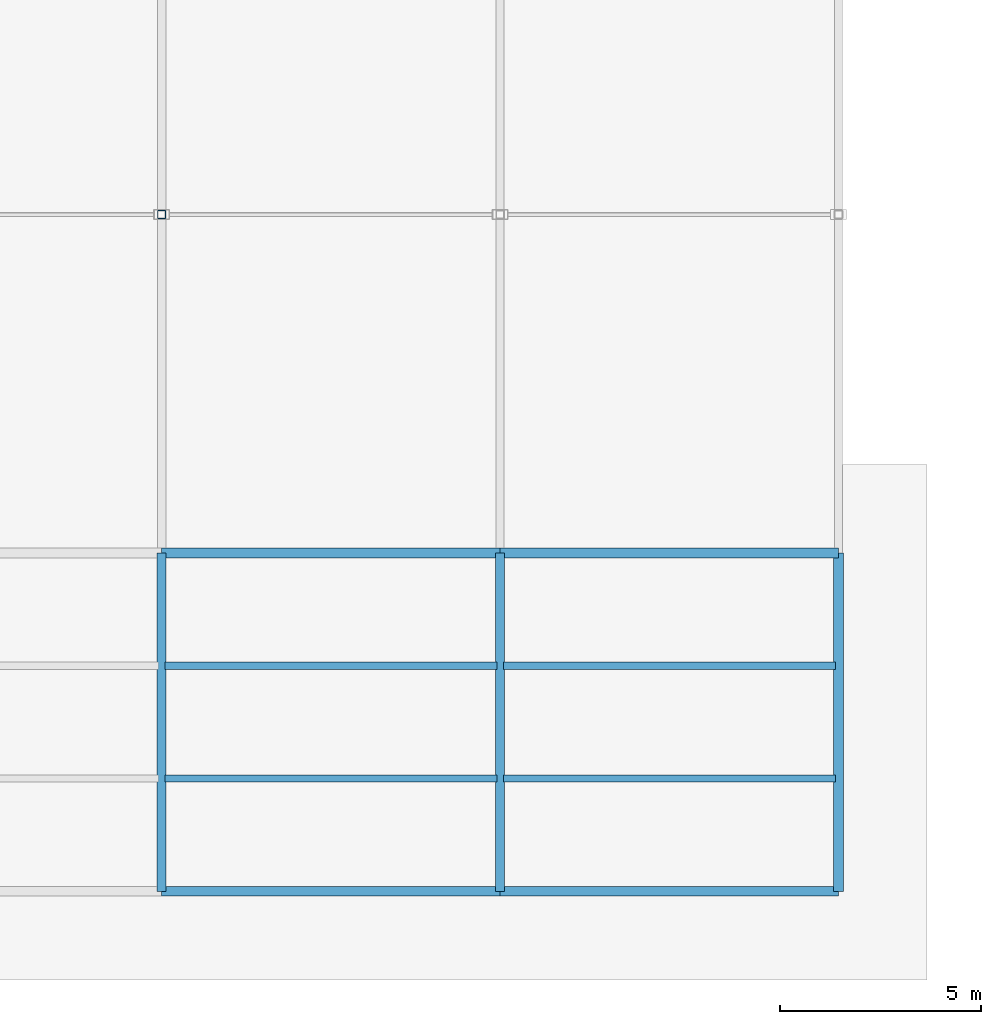
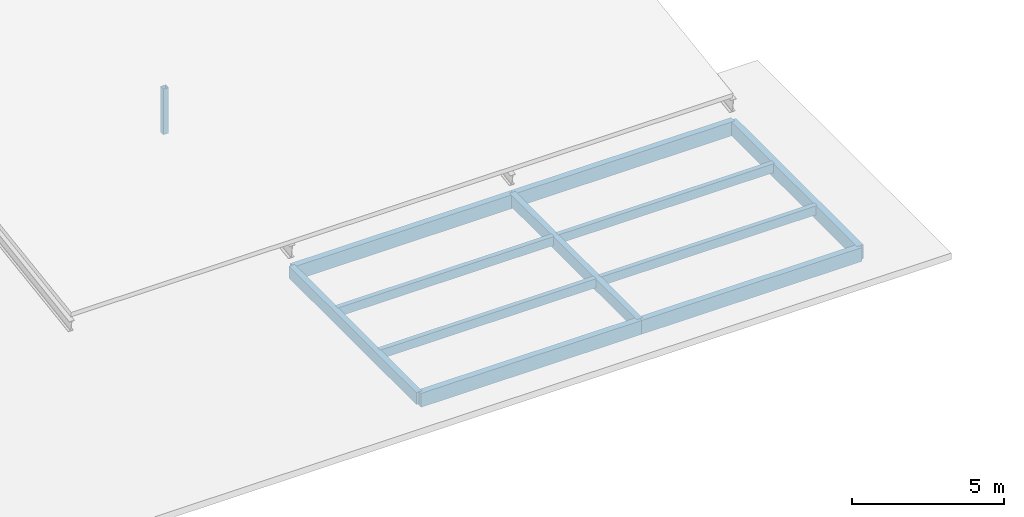
# One storey, part 3 of 31: 11 beams, 1 member.
"""IFC4 building model written with IfcOpenShell, lengths in metres."""

import ifcopenshell
import ifcopenshell.guid

model = None  # the IFC model being written
_history = None  # IfcOwnerHistory: only IFC2X3 demands one
_inside = {}  # id of a spatial element -> (the spatial element, [elements in it])
_under = {}  # id of a project, library or spatial element -> (it, [spatial elements below it])
_declared = {}  # id of a project -> (the project, [libraries it declares])
_typed = {}  # id of a type object -> (the type object, [elements of that type])
_made_of = {}  # id of a material, layer set ... -> (it, [elements and type objects made of it])


def new_model(schema):
    """Start an empty IFC model of exactly this schema.

    Asked for "IFC4X3", IfcOpenShell would pick the latest addendum, in which some entities
    have other attributes; the version numbers below select the first issue.
    IFC2X3 requires an IfcOwnerHistory on every rooted entity: one is made here for all.
    """
    global model, _history
    if schema == "IFC4X3":
        model = ifcopenshell.file(schema_version=(4, 3, 0, 0))
    else:
        model = ifcopenshell.file(schema=schema)
    _inside.clear()
    _under.clear()
    _declared.clear()
    _typed.clear()
    _made_of.clear()
    _history = None
    if model.schema == "IFC2X3":
        org = make("IfcOrganization", Name="unknown")
        user = make(
            "IfcPersonAndOrganization",
            ThePerson=make("IfcPerson", FamilyName="unknown"),
            TheOrganization=org,
        )
        app = make(
            "IfcApplication",
            ApplicationDeveloper=org,
            Version="unknown",
            ApplicationFullName="unknown",
            ApplicationIdentifier="unknown",
        )
        _history = make(
            "IfcOwnerHistory",
            OwningUser=user,
            OwningApplication=app,
            ChangeAction="ADDED",
            CreationDate=0,
        )
    return model


def make(cls, **values):
    """One entity of the class cls with the attributes given. An attribute that is None is left unset."""
    return model.create_entity(
        cls, **{name: value for name, value in values.items() if value is not None}
    )


def rooted(cls, **values):
    """An entity with a GlobalId (a new one), such as an element, a storey or a relation."""
    return make(cls, GlobalId=ifcopenshell.guid.new(), OwnerHistory=_history, **values)


def si_unit(unit_type, name, prefix=None):
    """IfcSIUnit, for example si_unit("LENGTHUNIT", "METRE", prefix="MILLI")."""
    return make("IfcSIUnit", UnitType=unit_type, Prefix=prefix, Name=name)


def assignment(units):
    """IfcUnitAssignment: the units of a project."""
    return None if units is None else make("IfcUnitAssignment", Units=units)


def point(xyz):
    """IfcCartesianPoint."""
    return None if xyz is None else make("IfcCartesianPoint", Coordinates=xyz)


def direction(xyz):
    """IfcDirection."""
    return None if xyz is None else make("IfcDirection", DirectionRatios=xyz)


def frame(location, z_axis=None, x_axis=None):
    """IfcAxis2Placement3D, a coordinate frame: its origin and axes. An axis left out is left unset."""
    return make(
        "IfcAxis2Placement3D",
        Location=point(location),
        Axis=direction(z_axis),
        RefDirection=direction(x_axis),
    )


def frame_2d(location, x_axis=None):
    """IfcAxis2Placement2D, a coordinate frame in the plane: its origin and x axis."""
    return make(
        "IfcAxis2Placement2D", Location=point(location), RefDirection=direction(x_axis)
    )


def origin():
    """The frame at (0, 0, 0) with its axes left unset."""
    return frame((0.0, 0.0, 0.0))


def origin_2d():
    """The frame at (0, 0) in the plane with its x axis left unset."""
    return frame_2d((0.0, 0.0))


def place(relative_to, where):
    """IfcLocalPlacement: puts the frame where relative to a parent placement (None: the world)."""
    return make(
        "IfcLocalPlacement", PlacementRelTo=relative_to, RelativePlacement=where
    )


def context(
    kind, dimensions, precision=None, world=None, true_north=None, identifier=None
):
    """IfcGeometricRepresentationContext, for example the 3D "Model" context."""
    return make(
        "IfcGeometricRepresentationContext",
        ContextIdentifier=identifier,
        ContextType=kind,
        CoordinateSpaceDimension=dimensions,
        Precision=precision,
        WorldCoordinateSystem=world,
        TrueNorth=true_north,
    )


def subcontext(parent, identifier, kind, view, scale=None):
    """IfcGeometricRepresentationSubContext, for example "Body" below "Model"."""
    return make(
        "IfcGeometricRepresentationSubContext",
        ContextIdentifier=identifier,
        ContextType=kind,
        ParentContext=parent,
        TargetScale=scale,
        TargetView=view,
    )


def project(units=None, contexts=None):
    """IfcProject with its units and contexts."""
    return rooted(
        "IfcProject",
        Name="project",
        RepresentationContexts=contexts,
        UnitsInContext=assignment(units),
    )


def spatial(cls, under=None, at=None, **own):
    """A site, building, storey or space (cls), placed at a placement, below another one or the project."""
    s = rooted(cls, ObjectPlacement=at, **own)
    if under is not None:
        _under.setdefault(under.id(), (under, []))[1].append(s)
    return s


def profile(cls, at=None, kind="AREA", **sizes):
    """A parametric profile (cls). Its sizes go by their IFC names, for example OverallWidth=200.0."""
    return make(cls, ProfileType=kind, Position=at, **sizes)


def rectangle(**sizes):
    """IfcRectangleProfileDef."""
    return profile("IfcRectangleProfileDef", **sizes)


def hollow_rectangle(**sizes):
    """IfcRectangleHollowProfileDef."""
    return profile("IfcRectangleHollowProfileDef", **sizes)


def extrude(swept, where, along, depth):
    """IfcExtrudedAreaSolid: the profile swept, set in the frame where, extruded along a direction by depth."""
    return make(
        "IfcExtrudedAreaSolid",
        SweptArea=swept,
        Position=where,
        ExtrudedDirection=direction(along),
        Depth=depth,
    )


def shape(context_of_items, identifier, shape_type, items):
    """IfcShapeRepresentation: the items that make up one representation, for example the "Body"."""
    return make(
        "IfcShapeRepresentation",
        ContextOfItems=context_of_items,
        RepresentationIdentifier=identifier,
        RepresentationType=shape_type,
        Items=items,
    )


def material(Name=None, Category=None):
    """IfcMaterial."""
    return make("IfcMaterial", Name=Name, Category=Category)


def material_profile(
    of_material, cross_section, Name=None, Category=None, Priority=None
):
    """IfcMaterialProfile: a cross section and its material."""
    return make(
        "IfcMaterialProfile",
        Name=Name,
        Material=of_material,
        Profile=cross_section,
        Priority=Priority,
        Category=Category,
    )


def profile_set(profiles, Name=None, composite=None):
    """IfcMaterialProfileSet."""
    return make(
        "IfcMaterialProfileSet",
        Name=Name,
        MaterialProfiles=profiles,
        CompositeProfile=composite,
    )


def made_of(thing, what):
    """Note that an element or type object is made of a material, layer set ...; save() writes the relation."""
    if what is not None:
        _made_of.setdefault(what.id(), (what, []))[1].append(thing)
    return thing


def type_object(cls, material=None, **own):
    """A type object (cls), such as IfcWallType, which elements share."""
    return made_of(rooted(cls, **own), material)


def element(
    cls,
    number,
    at=None,
    inside=None,
    cuts=None,
    type_object=None,
    material=None,
    context=None,
    identifier="Body",
    shape_type=None,
    held_by="IfcProductDefinitionShape",
    body=None,
    shapes=None,
    **own,
):
    """One element of the class cls, such as IfcWall. Its Tag is "e" and its number.

    at: its placement. inside: the storey or other place that contains it. cuts: it is an
    opening in that element (IfcRelVoidsElement). A single representation is given by context,
    identifier, shape_type and body (its items); several are given by shapes. held_by: the class
    of the entity that holds the representations. save() writes the other relations.
    """
    e = rooted(cls, Tag="e%d" % number, ObjectPlacement=at, **own)
    if body is not None:
        shapes = [shape(context, identifier, shape_type, body)]
    if shapes is not None:
        e.Representation = make(held_by, Representations=shapes)
    if inside is not None:
        _inside.setdefault(inside.id(), (inside, []))[1].append(e)
    if cuts is not None:
        rooted(
            "IfcRelVoidsElement", RelatingBuildingElement=cuts, RelatedOpeningElement=e
        )
    if type_object is not None:
        _typed.setdefault(type_object.id(), (type_object, []))[1].append(e)
    return made_of(e, material)


def aggregate(whole, parts):
    """IfcRelAggregates: a whole, such as a stair, and the parts it consists of."""
    return rooted("IfcRelAggregates", RelatingObject=whole, RelatedObjects=parts)


def save(model, path):
    """Write the relations noted so far, then the file.

    IfcRelAggregates (storeys below a building ...), IfcRelContainedInSpatialStructure (elements
    in a storey), IfcRelDefinesByType, IfcRelAssociatesMaterial and IfcRelDeclares: one each for
    every whole, place, type object, material and project.
    """
    for whole, parts in _under.values():
        aggregate(whole, parts)
    for where, things in _inside.values():
        rooted(
            "IfcRelContainedInSpatialStructure",
            RelatedElements=things,
            RelatingStructure=where,
        )
    for kind, things in _typed.values():
        rooted("IfcRelDefinesByType", RelatedObjects=things, RelatingType=kind)
    for what, things in _made_of.values():
        rooted("IfcRelAssociatesMaterial", RelatedObjects=things, RelatingMaterial=what)
    for by, libraries in _declared.values():
        rooted("IfcRelDeclares", RelatingContext=by, RelatedDefinitions=libraries)
    model.write(path)


model = new_model("IFC4")

# Units and contexts
model_context = context("Model", 3, precision=1e-05, world=origin(), true_north=direction((0.0, 1.0)))
body_context = subcontext(model_context, "Body", "Model", "MODEL_VIEW")
ifc_project = project(units=[si_unit("LENGTHUNIT", "METRE"), si_unit("AREAUNIT", "SQUARE_METRE"), si_unit("VOLUMEUNIT", "CUBIC_METRE"), si_unit("PLANEANGLEUNIT", "RADIAN"), si_unit("MASSUNIT", "GRAM", prefix="KILO")], contexts=[model_context])

# Site, building, storey
site_placement = place(None, origin())
site = spatial("IfcSite", under=ifc_project, at=site_placement, CompositionType="ELEMENT")
building_placement = place(site_placement, origin())
building = spatial("IfcBuilding", under=site, at=building_placement, Name="Varnapada Polytechnic", CompositionType="ELEMENT")
storey_placement = place(building_placement, frame((0.0, 0.0, 22.199951171875)))
storey = spatial("IfcBuildingStorey", under=building, at=storey_placement, Name="L05", CompositionType="ELEMENT", Elevation=22.199951171875)

# Beams
ifc_material_1 = material(Name="Glulam GL32h", Category="wood")
ifc_material_profile_1 = material_profile(ifc_material_1, rectangle(XDim=0.239990234375, YDim=0.56005859375, at=origin_2d()), Name="GL 240x560")
ifc_profile_set_1 = profile_set([ifc_material_profile_1], Name="Glulam GL32h")
beam_type_1 = type_object("IfcBeamType", Name="Perimeter glulam spandrel beam SP-02 (GL 240x560)", PredefinedType="SPANDREL", material=ifc_profile_set_1)
for number, where, z_axis, x_axis, name in (
    (1, (33.60009765625, 8.39990234375, -0.550048828125), (1.0, 0.0, 0.0), (0.0, 1.0, 0.0), "L05 beam X 5-6 at Y2"),
    (2, (33.60009765625, 16.800048828125, -0.550048828125), (1.0, 0.0, 0.0), (0.0, 1.0, 0.0), "L05 beam X 5-6 at Y3"),
    (3, (42.0, 8.39990234375, -0.550048828125), (1.0, 0.0, 0.0), (0.0, 1.0, 0.0), "L05 beam X 6-7 at Y2"),
    (4, (42.0, 16.800048828125, -0.550048828125), (1.0, 0.0, 0.0), (0.0, 1.0, 0.0), "L05 beam X 6-7 at Y3"),
):
    element("IfcBeam", number, at=place(storey_placement, frame(where, z_axis=z_axis, x_axis=x_axis)), inside=storey, type_object=beam_type_1, Name=name, PredefinedType="SPANDREL", context=body_context, shape_type="SweptSolid", body=[
        extrude(rectangle(XDim=0.239990234375, YDim=0.56005859375, at=origin_2d()), origin(), (0.0, 0.0, 1.0), 8.39990234375),
    ])
beam_placement = place(storey_placement, frame((50.39990234375, 8.39990234375, -0.550048828125), z_axis=(0.0, 1.0, 0.0), x_axis=(-1.0, 0.0, 0.0)))
element("IfcBeam", 5, at=beam_placement, inside=storey, type_object=beam_type_1, Name="L05 beam Y 2-3 at X7", PredefinedType="SPANDREL", context=body_context, shape_type="SweptSolid", body=[
    extrude(rectangle(XDim=0.239990234375, YDim=0.56005859375, at=origin_2d()), origin(), (0.0, 0.0, 1.0), 8.400146484375),
])

# Member
ifc_material_2 = material(Name="Steel S355", Category="steel")
ifc_material_profile_2 = material_profile(ifc_material_2, hollow_rectangle(XDim=0.199951171875, YDim=0.199951171875, WallThickness=0.008056640625, InnerFilletRadius=0.008056640625, OuterFilletRadius=0.01611328125, at=origin_2d()), Name="SHS 200x200x8")
ifc_profile_set_2 = profile_set([ifc_material_profile_2], Name="Steel S355")
member_type = type_object("IfcMemberType", Name="Roof clerestory king post SFP-01 (SHS 200x200x8)", PredefinedType="POST", material=ifc_profile_set_2)
member_placement = place(storey_placement, frame((33.60009765625, 25.199951171875, -0.02001953125), z_axis=(0.0, 0.0, 1.0), x_axis=(1.0, 0.0, 0.0)))
element("IfcMember", 6, at=member_placement, inside=storey, type_object=member_type, Name="Lecture gable mid strut X5", PredefinedType="POST", context=body_context, shape_type="SweptSolid", body=[
    extrude(hollow_rectangle(XDim=0.199951171875, YDim=0.199951171875, WallThickness=0.008056640625, InnerFilletRadius=0.008056640625, OuterFilletRadius=0.01611328125, at=origin_2d()), origin(), (0.0, 0.0, 1.0), 1.840087890625),
])

# Beams
ifc_material_profile_3 = material_profile(ifc_material_1, rectangle(XDim=0.179931640625, YDim=0.360107421875, at=origin_2d()), Name="GL 180x360")
ifc_profile_set_3 = profile_set([ifc_material_profile_3], Name="Glulam GL32h")
beam_type_2 = type_object("IfcBeamType", Name="Studio/seminar glulam floor joist GJ-02 (GL 180x360)", PredefinedType="JOIST", material=ifc_profile_set_3)
for number, where, z_axis, x_axis, name in (
    (7, (33.679931640625, 11.199951171875, -0.449951171875), (1.0, 0.0, 0.0), (0.0, 1.0, 0.0), "L05 floor joist 5/2.1"),
    (8, (33.679931640625, 14.0, -0.449951171875), (1.0, 0.0, 0.0), (0.0, 1.0, 0.0), "L05 floor joist 5/2.2"),
    (9, (42.080078125, 11.199951171875, -0.449951171875), (1.0, 0.0, 0.0), (0.0, 1.0, 0.0), "L05 floor joist 6/2.1"),
    (10, (42.080078125, 14.0, -0.449951171875), (1.0, 0.0, 0.0), (0.0, 1.0, 0.0), "L05 floor joist 6/2.2"),
):
    element("IfcBeam", number, at=place(storey_placement, frame(where, z_axis=z_axis, x_axis=x_axis)), inside=storey, type_object=beam_type_2, Name=name, PredefinedType="JOIST", context=body_context, shape_type="SweptSolid", body=[
        extrude(rectangle(XDim=0.179931640625, YDim=0.360107421875, at=origin_2d()), origin(), (0.0, 0.0, 1.0), 8.239990234375),
    ])
ifc_material_profile_4 = material_profile(ifc_material_1, rectangle(XDim=0.219970703125, YDim=0.47998046875, at=origin_2d()), Name="GL 220x480")
ifc_profile_set_4 = profile_set([ifc_material_profile_4], Name="Glulam GL32h")
beam_type_3 = type_object("IfcBeamType", Name="Upper floor glulam tie beam GB-11 (GL 220x480)", PredefinedType="BEAM", material=ifc_profile_set_4)
for number, where, z_axis, x_axis, name in (
    (11, (33.60009765625, 8.39990234375, -0.510009765625), (0.0, 1.0, 0.0), (-1.0, 0.0, 0.0), "L05 beam Y 2-3 at X5"),
    (12, (42.0, 8.39990234375, -0.510009765625), (0.0, 1.0, 0.0), (-1.0, 0.0, 0.0), "L05 beam Y 2-3 at X6"),
):
    element("IfcBeam", number, at=place(storey_placement, frame(where, z_axis=z_axis, x_axis=x_axis)), inside=storey, type_object=beam_type_3, Name=name, PredefinedType="BEAM", context=body_context, shape_type="SweptSolid", body=[
        extrude(rectangle(XDim=0.219970703125, YDim=0.47998046875, at=origin_2d()), origin(), (0.0, 0.0, 1.0), 8.400146484375),
    ])

save(model, "model.ifc")
